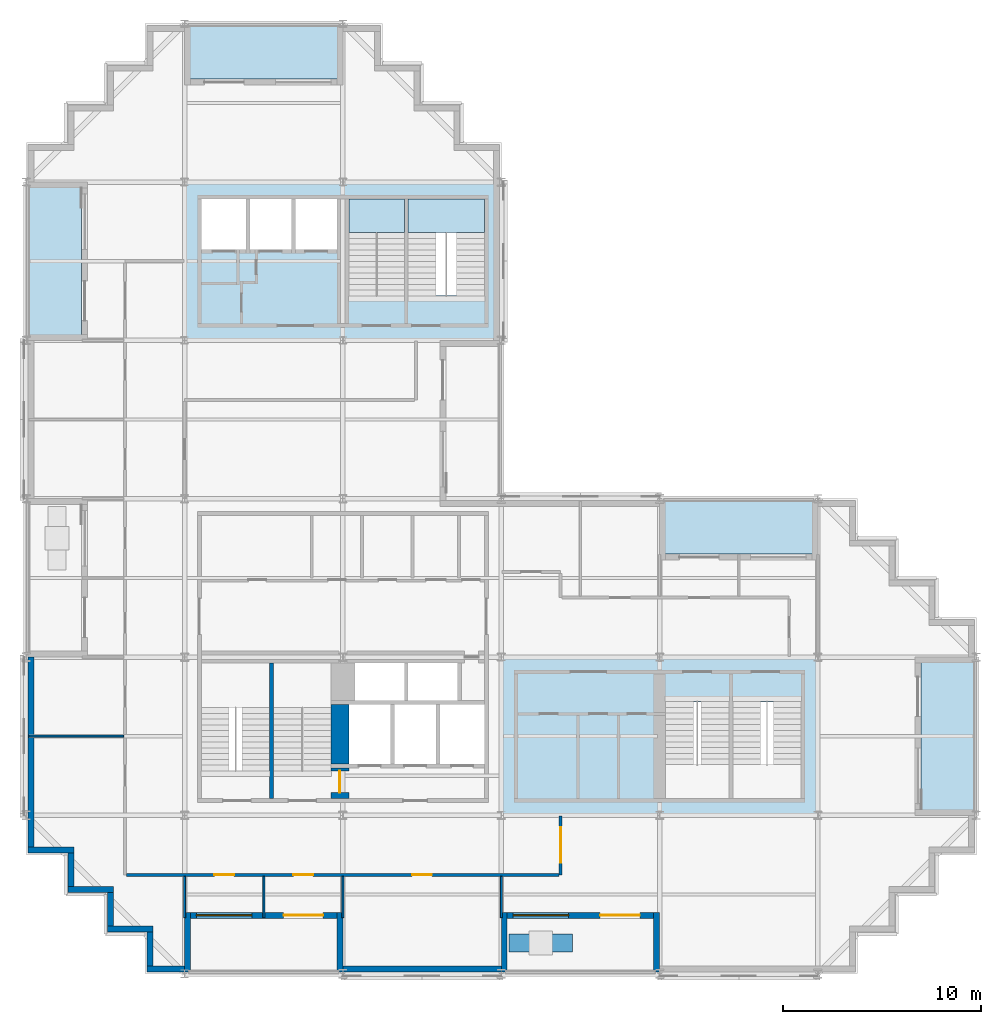
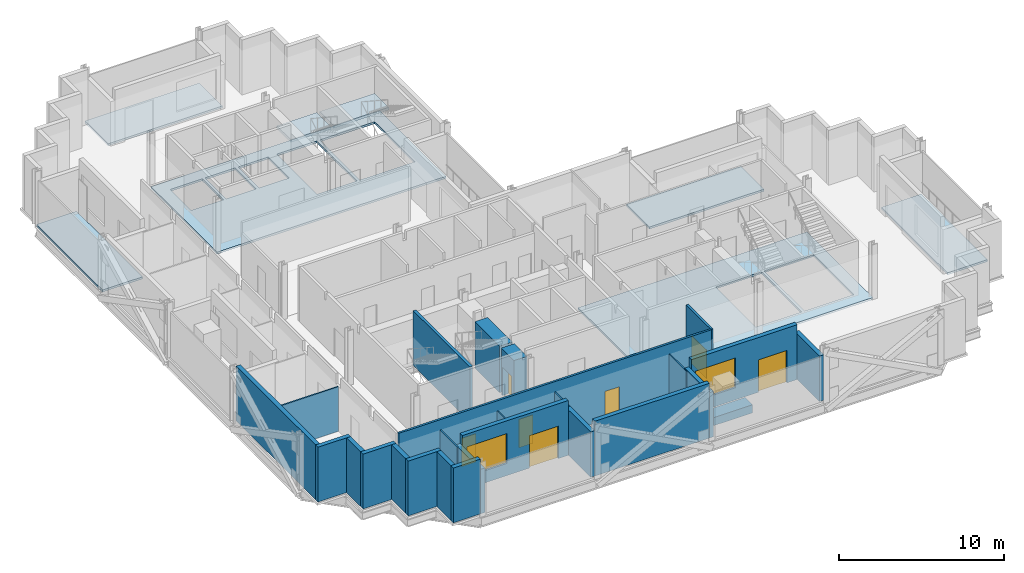
# One storey, part 4 of 12: 26 walls, 8 slabs, 7 doors, 2 windows, 9 openings, 2 elements without a shape of their own.
"""IFC4 building model written with IfcOpenShell, lengths in metres."""

from ifc_helpers import new_model, si_unit, direction, frame, frame_2d, origin, place, context, subcontext, project, spatial, polyline, rectangle, outline, extrude, material, layer, layer_set, type_object, element, fill, aggregate, save


model = new_model("IFC4")

# Units and contexts
model_context = context("Model", 3, precision=1e-05, world=origin(), true_north=direction((0.0, 1.0)))
body_context = subcontext(model_context, "Body", "Model", "MODEL_VIEW")
ifc_project = project(units=[si_unit("LENGTHUNIT", "METRE"), si_unit("AREAUNIT", "SQUARE_METRE"), si_unit("VOLUMEUNIT", "CUBIC_METRE"), si_unit("PLANEANGLEUNIT", "RADIAN"), si_unit("MASSUNIT", "GRAM", prefix="KILO")], contexts=[model_context])

# Site, building, storey
site_placement = place(None, origin())
site = spatial("IfcSite", under=ifc_project, at=site_placement, CompositionType="ELEMENT")
building_placement = place(site_placement, origin())
building = spatial("IfcBuilding", under=site, at=building_placement, Name="Immortelle Media Tower", CompositionType="ELEMENT")
storey_placement = place(building_placement, frame((0.0, 0.0, 136.800048828125)))
storey = spatial("IfcBuildingStorey", under=building, at=storey_placement, Name="L27", CompositionType="ELEMENT", Elevation=136.800048828125)

# Slabs
ifc_material_1 = material(Name="Concrete C50/60 composite deck", Category="concrete")
ifc_layer_1 = layer(ifc_material_1, 0.14990234375)
ifc_layer_set_1 = layer_set([ifc_layer_1], Name="Concrete C50/60 composite deck")
slab_type_1 = type_object("IfcSlabType", Name="Balcony slab 150", PredefinedType="FLOOR", material=ifc_layer_set_1)
slab_1_placement = place(storey_placement, frame((0.0, 0.0, -0.150146484375)))
element("IfcSlab", 1, at=slab_1_placement, inside=storey, type_object=slab_type_1, Name="Balcony slab L27 E0", PredefinedType="FLOOR", context=body_context, shape_type="SweptSolid", body=[
    extrude(outline(polyline([(48.0, 8.0), (48.0, 16.0), (45.199951171875, 16.0), (45.199951171875, 8.0), (48.0, 8.0)])), origin(), (0.0, 0.0, 1.0), 0.150146484375),
])
slab_2_placement = place(storey_placement, frame((0.0, 0.0, -0.150146484375)))
element("IfcSlab", 2, at=slab_2_placement, inside=storey, type_object=slab_type_1, Name="Balcony slab L27 N0", PredefinedType="FLOOR", context=body_context, shape_type="SweptSolid", body=[
    extrude(outline(polyline([(40.0, 21.199951171875), (40.0, 24.0), (32.0, 24.0), (32.0, 21.199951171875), (40.0, 21.199951171875)])), origin(), (0.0, 0.0, 1.0), 0.150146484375),
])
slab_3_placement = place(storey_placement, frame((0.0, 0.0, -0.150146484375)))
element("IfcSlab", 3, at=slab_3_placement, inside=storey, type_object=slab_type_1, Name="Balcony slab L27 N0", PredefinedType="FLOOR", context=body_context, shape_type="SweptSolid", body=[
    extrude(outline(polyline([(16.0, 45.199951171875), (16.0, 48.0), (8.0, 48.0), (8.0, 45.199951171875), (16.0, 45.199951171875)])), origin(), (0.0, 0.0, 1.0), 0.150146484375),
])
slab_4_placement = place(storey_placement, frame((0.0, 0.0, -0.150146484375)))
element("IfcSlab", 4, at=slab_4_placement, inside=storey, type_object=slab_type_1, Name="Balcony slab L27 W0", PredefinedType="FLOOR", context=body_context, shape_type="SweptSolid", body=[
    extrude(outline(polyline([(2.800048828125, 32.0), (2.800048828125, 40.0), (0.0, 40.0), (0.0, 32.0), (2.800048828125, 32.0)])), origin(), (0.0, 0.0, 1.0), 0.150146484375),
])
ifc_material_2 = material(Name="Concrete C50/60", Category="concrete")
ifc_layer_2 = layer(ifc_material_2, 0.14990234375)
ifc_layer_set_2 = layer_set([ifc_layer_2], Name="Concrete C50/60")
slab_type_2 = type_object("IfcSlabType", Name="Core floor slab 150", PredefinedType="FLOOR", material=ifc_layer_set_2)
slab_5_placement = place(storey_placement, frame((0.0, 0.0, -0.150146484375)))
element("IfcSlab", 5, at=slab_5_placement, inside=storey, type_object=slab_type_2, Name="Core floor SE", PredefinedType="FLOOR", context=body_context, shape_type="SweptSolid", body=[
    extrude(outline(polyline([(24.0, 8.0), (40.0, 8.0), (40.0, 16.0), (24.0, 16.0), (24.0, 8.0)]), holes=[polyline([(32.300048828125, 8.85009765625), (35.5, 8.85009765625), (35.5, 13.72998046875), (32.300048828125, 13.72998046875), (32.300048828125, 8.85009765625)]), polyline([(35.699951171875, 8.85009765625), (39.14990234375, 8.85009765625), (39.14990234375, 13.72998046875), (35.699951171875, 13.72998046875), (35.699951171875, 8.85009765625)])]), origin(), (0.0, 0.0, 1.0), 0.150146484375),
])
slab_6_placement = place(storey_placement, frame((0.0, 0.0, -0.150146484375)))
element("IfcSlab", 6, at=slab_6_placement, inside=storey, type_object=slab_type_2, Name="Core floor NW", PredefinedType="FLOOR", context=body_context, shape_type="SweptSolid", body=[
    extrude(outline(polyline([(8.0, 32.0), (24.0, 32.0), (24.0, 40.0), (8.0, 40.0), (8.0, 32.0)]), holes=[polyline([(8.85009765625, 36.60009765625), (11.10009765625, 36.60009765625), (11.10009765625, 39.14990234375), (8.85009765625, 39.14990234375), (8.85009765625, 36.60009765625)]), polyline([(11.300048828125, 36.60009765625), (13.39990234375, 36.60009765625), (13.39990234375, 39.14990234375), (11.300048828125, 39.14990234375), (11.300048828125, 36.60009765625)]), polyline([(13.60009765625, 36.60009765625), (15.699951171875, 36.60009765625), (15.699951171875, 39.14990234375), (13.60009765625, 39.14990234375), (13.60009765625, 36.60009765625)]), polyline([(16.300048828125, 34.27001953125), (19.10009765625, 34.27001953125), (19.10009765625, 39.14990234375), (16.300048828125, 39.14990234375), (16.300048828125, 34.27001953125)]), polyline([(19.300048828125, 34.27001953125), (23.14990234375, 34.27001953125), (23.14990234375, 39.14990234375), (19.300048828125, 39.14990234375), (19.300048828125, 34.27001953125)])]), origin(), (0.0, 0.0, 1.0), 0.150146484375),
])

# Stair, slab
ifc_material_3 = material(Name="Steel ASTM A992 Gr 50", Category="steel")
stair_type = type_object("IfcStairType", Name="Stair with flights", PredefinedType="DOUBLE_RETURN_STAIR", material=ifc_material_3)
stair_1_placement = place(storey_placement, origin())
stair_1 = element("IfcStair", 7, at=stair_1_placement, inside=storey, type_object=stair_type, Name="Exit stair NW1", PredefinedType="DOUBLE_RETURN_STAIR")
ifc_material_4 = material(Name="Steel ASTM A572 Gr 50", Category="steel")
ifc_layer_3 = layer(ifc_material_4, 0.199951171875)
ifc_layer_set_3 = layer_set([ifc_layer_3], Name="Steel ASTM A572 Gr 50")
slab_type_3 = type_object("IfcSlabType", Name="Stair landing 200", PredefinedType="LANDING", material=ifc_layer_set_3)
slab_7_placement = place(storey_placement, frame((0.0, 0.0, 1.89990234375)))
slab_7 = element("IfcSlab", 8, at=slab_7_placement, type_object=slab_type_3, Name="ST NW1 landing 1", PredefinedType="LANDING", context=body_context, shape_type="SweptSolid", body=[
    extrude(outline(polyline([(16.300048828125, 37.43994140625), (19.10009765625, 37.43994140625), (19.10009765625, 39.14990234375), (16.300048828125, 39.14990234375), (16.300048828125, 37.43994140625)])), origin(), (0.0, 0.0, 1.0), 0.199951171875),
])
aggregate(stair_1, [slab_7])

stair_2_placement = place(storey_placement, origin())
stair_2 = element("IfcStair", 9, at=stair_2_placement, inside=storey, type_object=stair_type, Name="Exit stair NW2", PredefinedType="DOUBLE_RETURN_STAIR")
slab_8_placement = place(storey_placement, frame((0.0, 0.0, 1.89990234375)))
slab_8 = element("IfcSlab", 10, at=slab_8_placement, type_object=slab_type_3, Name="ST NW2 landing 1", PredefinedType="LANDING", context=body_context, shape_type="SweptSolid", body=[
    extrude(outline(polyline([(19.300048828125, 37.43994140625), (23.14990234375, 37.43994140625), (23.14990234375, 39.14990234375), (19.300048828125, 39.14990234375), (19.300048828125, 37.43994140625)])), origin(), (0.0, 0.0, 1.0), 0.199951171875),
])
aggregate(stair_2, [slab_8])

# Wall, openings, doors
ifc_material_5 = material(Name="Fire-rated gypsum board", Category="gypsum")
ifc_layer_4 = layer(ifc_material_5, 0.012451171875)
ifc_material_6 = material(Name="Steel ASTM A653 SS Gr 50 stud frame with mineral wool", Category="steel")
ifc_layer_5 = layer(ifc_material_6, 0.125)
ifc_layer_6 = layer(ifc_material_5, 0.012451171875)
ifc_layer_set_4 = layer_set([ifc_layer_4, ifc_layer_5, ifc_layer_6], Name="Steel ASTM A653 SS Gr 50 stud frame with mineral wool")
wall_type_1 = type_object("IfcWallType", Name="Corridor wall 150", PredefinedType="PARTITIONING", material=ifc_layer_set_4)
wall_1_placement = place(storey_placement, frame((5.074951171875, 5.0, 0.0), z_axis=(0.0, 0.0, 1.0), x_axis=(1.0, 0.0, 0.0)))
wall_1 = element("IfcWall", 11, at=wall_1_placement, inside=storey, type_object=wall_type_1, Name="Partition L27-005", PredefinedType="PARTITIONING", context=body_context, shape_type="SweptSolid", body=[
    extrude(rectangle(XDim=21.85009765625, YDim=0.14990234375, at=frame_2d((10.925048828125, 0.0))), origin(), (0.0, 0.0, 1.0), 4.050048828125),
])
opening_1_placement = place(wall_1_placement, frame((15.425048828125, 0.0, 0.0), z_axis=(0.0, 0.0, 1.0), x_axis=(-1.0, 0.0, 0.0)))
opening_1 = element("IfcOpeningElement", 12, at=opening_1_placement, cuts=wall_1, Name="Opening C2-F001", PredefinedType="OPENING", context=body_context, shape_type="SweptSolid", body=[
    extrude(rectangle(XDim=1.0, YDim=2.10009765625, at=frame_2d((0.5, 1.050048828125))), frame((0.0, 0.0849609375, 0.0), z_axis=(0.0, -1.0, 0.0), x_axis=(1.0, 0.0, 0.0)), (0.0, 0.0, 1.0), 0.169921875),
])
opening_2_placement = place(wall_1_placement, frame((5.425048828125, 0.0, 0.0), z_axis=(0.0, 0.0, 1.0), x_axis=(-1.0, 0.0, 0.0)))
opening_2 = element("IfcOpeningElement", 13, at=opening_2_placement, cuts=wall_1, Name="Opening C2-F002", PredefinedType="OPENING", context=body_context, shape_type="SweptSolid", body=[
    extrude(rectangle(XDim=1.0, YDim=2.10009765625, at=frame_2d((0.5, 1.050048828125))), frame((0.0, 0.0849609375, 0.0), z_axis=(0.0, -1.0, 0.0), x_axis=(1.0, 0.0, 0.0)), (0.0, 0.0, 1.0), 0.169921875),
])
opening_3_placement = place(wall_1_placement, frame((9.425048828125, 0.0, 0.0), z_axis=(0.0, 0.0, 1.0), x_axis=(-1.0, 0.0, 0.0)))
opening_3 = element("IfcOpeningElement", 14, at=opening_3_placement, cuts=wall_1, Name="Opening C2-F003", PredefinedType="OPENING", context=body_context, shape_type="SweptSolid", body=[
    extrude(rectangle(XDim=1.0, YDim=2.10009765625, at=frame_2d((0.5, 1.050048828125))), frame((0.0, 0.0849609375, 0.0), z_axis=(0.0, -1.0, 0.0), x_axis=(1.0, 0.0, 0.0)), (0.0, 0.0, 1.0), 0.169921875),
])
ifc_material_7 = material(Name="Timber veneered door leaf, galvanised steel frame ASTM A653", Category="steel")
door_type_1 = type_object("IfcDoorType", Name="Room door 1000 x 2100", OperationType="NOTDEFINED", PredefinedType="DOOR", material=ifc_material_7)
door_1_placement = place(opening_1_placement, origin())
door_1 = element("IfcDoor", 15, at=door_1_placement, inside=storey, type_object=door_type_1, Name="Door C2-F001", OperationType="SINGLE_SWING_LEFT", OverallHeight=2.10009765625, OverallWidth=1.0, PredefinedType="DOOR", context=body_context, shape_type="SweptSolid", body=[
    extrude(rectangle(XDim=1.0, YDim=2.10009765625, at=frame_2d((0.5, 1.050048828125))), frame((0.0, 0.02490234375, 0.0), z_axis=(0.0, -1.0, 0.0), x_axis=(1.0, 0.0, 0.0)), (0.0, 0.0, 1.0), 0.050048828125),
])
fill(opening_1, door_1)
door_2_placement = place(opening_2_placement, origin())
door_2 = element("IfcDoor", 16, at=door_2_placement, inside=storey, type_object=door_type_1, Name="Door C2-F002", OperationType="SINGLE_SWING_RIGHT", OverallHeight=2.10009765625, OverallWidth=1.0, PredefinedType="DOOR", context=body_context, shape_type="SweptSolid", body=[
    extrude(rectangle(XDim=1.0, YDim=2.10009765625, at=frame_2d((0.5, 1.050048828125))), frame((0.0, 0.02490234375, 0.0), z_axis=(0.0, -1.0, 0.0), x_axis=(1.0, 0.0, 0.0)), (0.0, 0.0, 1.0), 0.050048828125),
])
fill(opening_2, door_2)
door_3_placement = place(opening_3_placement, origin())
door_3 = element("IfcDoor", 17, at=door_3_placement, inside=storey, type_object=door_type_1, Name="Door C2-F003", OperationType="SINGLE_SWING_RIGHT", OverallHeight=2.10009765625, OverallWidth=1.0, PredefinedType="DOOR", context=body_context, shape_type="SweptSolid", body=[
    extrude(rectangle(XDim=1.0, YDim=2.10009765625, at=frame_2d((0.5, 1.050048828125))), frame((0.0, 0.02490234375, 0.0), z_axis=(0.0, -1.0, 0.0), x_axis=(1.0, 0.0, 0.0)), (0.0, 0.0, 1.0), 0.050048828125),
])
fill(opening_3, door_3)

# Wall, opening, door
wall_2_placement = place(storey_placement, frame((27.0, 5.0, 0.0), z_axis=(0.0, 0.0, 1.0), x_axis=(0.0, 1.0, 0.0)))
wall_2 = element("IfcWall", 18, at=wall_2_placement, inside=storey, type_object=wall_type_1, Name="Partition L27-007", PredefinedType="PARTITIONING", context=body_context, shape_type="SweptSolid", body=[
    extrude(rectangle(XDim=2.969970703125, YDim=0.14990234375, at=frame_2d((1.48486328125, 0.0))), origin(), (0.0, 0.0, 1.0), 4.050048828125),
])
opening_4_placement = place(wall_2_placement, frame((0.60009765625, 0.0, 0.0)))
opening_4 = element("IfcOpeningElement", 19, at=opening_4_placement, cuts=wall_2, Name="Opening C2-F004", PredefinedType="OPENING", context=body_context, shape_type="SweptSolid", body=[
    extrude(rectangle(XDim=1.800048828125, YDim=2.10009765625, at=frame_2d((0.89990234375, 1.050048828125))), frame((0.0, 0.0849609375, 0.0), z_axis=(0.0, -1.0, 0.0), x_axis=(1.0, 0.0, 0.0)), (0.0, 0.0, 1.0), 0.169921875),
])
door_type_2 = type_object("IfcDoorType", Name="Room door 1800 x 2100", OperationType="DOUBLE_DOOR_SINGLE_SWING", PredefinedType="DOOR", material=ifc_material_7)
door_4_placement = place(opening_4_placement, origin())
door_4 = element("IfcDoor", 20, at=door_4_placement, inside=storey, type_object=door_type_2, Name="Door C2-F004", OperationType="DOUBLE_DOOR_SINGLE_SWING", OverallHeight=2.10009765625, OverallWidth=1.800048828125, PredefinedType="DOOR", context=body_context, shape_type="SweptSolid", body=[
    extrude(rectangle(XDim=1.800048828125, YDim=2.10009765625, at=frame_2d((0.89990234375, 1.050048828125))), frame((0.0, 0.02490234375, 0.0), z_axis=(0.0, -1.0, 0.0), x_axis=(1.0, 0.0, 0.0)), (0.0, 0.0, 1.0), 0.050048828125),
])
fill(opening_4, door_4)

# Walls
ifc_material_8 = material(Name="Pale aluminium cladding panel", Category="aluminium")
ifc_layer_7 = layer(ifc_material_8, 0.030029296875)
ifc_layer_8 = layer(ifc_material_6, 0.257568359375)
ifc_material_9 = material(Name="Moisture-resistant gypsum board", Category="gypsum")
ifc_layer_9 = layer(ifc_material_9, 0.012451171875)
ifc_layer_set_5 = layer_set([ifc_layer_7, ifc_layer_8, ifc_layer_9], Name="Steel ASTM A653 SS Gr 50 stud frame with mineral wool")
wall_type_2 = type_object("IfcWallType", Name="Facade wall 300", PredefinedType="SOLIDWALL", material=ifc_layer_set_5)
wall_3_placement = place(storey_placement, frame((0.10009765625, 6.25, 0.0), z_axis=(0.0, 0.0, 1.0), x_axis=(1.0, 0.0, 0.0)))
element("IfcWall", 21, at=wall_3_placement, inside=storey, type_object=wall_type_2, Name="Facade wall L27 S0", PredefinedType="SOLIDWALL", context=body_context, shape_type="SweptSolid", body=[
    extrude(rectangle(XDim=2.2998046875, YDim=0.300048828125, at=frame_2d((1.14990234375, 0.0))), origin(), (0.0, 0.0, 1.0), 4.050048828125),
])
wall_4_placement = place(storey_placement, frame((2.25, 6.10009765625, 0.0), z_axis=(0.0, 0.0, 1.0), x_axis=(0.0, -1.0, 0.0)))
element("IfcWall", 22, at=wall_4_placement, inside=storey, type_object=wall_type_2, Name="Facade wall L27 W1", PredefinedType="SOLIDWALL", context=body_context, shape_type="SweptSolid", body=[
    extrude(rectangle(XDim=1.7001953125, YDim=0.300048828125, at=frame_2d((0.85009765625, 0.0))), origin(), (0.0, 0.0, 1.0), 4.050048828125),
])
wall_5_placement = place(storey_placement, frame((2.10009765625, 4.25, 0.0), z_axis=(0.0, 0.0, 1.0), x_axis=(1.0, 0.0, 0.0)))
element("IfcWall", 23, at=wall_5_placement, inside=storey, type_object=wall_type_2, Name="Facade wall L27 S2", PredefinedType="SOLIDWALL", context=body_context, shape_type="SweptSolid", body=[
    extrude(rectangle(XDim=2.2998046875, YDim=0.300048828125, at=frame_2d((1.14990234375, 0.0))), origin(), (0.0, 0.0, 1.0), 4.050048828125),
])
wall_6_placement = place(storey_placement, frame((4.25, 4.10009765625, 0.0), z_axis=(0.0, 0.0, 1.0), x_axis=(0.0, -1.0, 0.0)))
element("IfcWall", 24, at=wall_6_placement, inside=storey, type_object=wall_type_2, Name="Facade wall L27 W3", PredefinedType="SOLIDWALL", context=body_context, shape_type="SweptSolid", body=[
    extrude(rectangle(XDim=1.7001953125, YDim=0.300048828125, at=frame_2d((0.85009765625, 0.0))), origin(), (0.0, 0.0, 1.0), 4.050048828125),
])
wall_7_placement = place(storey_placement, frame((4.10009765625, 2.25, 0.0), z_axis=(0.0, 0.0, 1.0), x_axis=(1.0, 0.0, 0.0)))
element("IfcWall", 25, at=wall_7_placement, inside=storey, type_object=wall_type_2, Name="Facade wall L27 S4", PredefinedType="SOLIDWALL", context=body_context, shape_type="SweptSolid", body=[
    extrude(rectangle(XDim=2.2998046875, YDim=0.300048828125, at=frame_2d((1.14990234375, 0.0))), origin(), (0.0, 0.0, 1.0), 4.050048828125),
])
wall_8_placement = place(storey_placement, frame((6.25, 2.10009765625, 0.0), z_axis=(0.0, 0.0, 1.0), x_axis=(0.0, -1.0, 0.0)))
element("IfcWall", 26, at=wall_8_placement, inside=storey, type_object=wall_type_2, Name="Facade wall L27 W5", PredefinedType="SOLIDWALL", context=body_context, shape_type="SweptSolid", body=[
    extrude(rectangle(XDim=1.7001953125, YDim=0.300048828125, at=frame_2d((0.85009765625, 0.0))), origin(), (0.0, 0.0, 1.0), 4.050048828125),
])
wall_9_placement = place(storey_placement, frame((6.10009765625, 0.25, 0.0), z_axis=(0.0, 0.0, 1.0), x_axis=(1.0, 0.0, 0.0)))
element("IfcWall", 27, at=wall_9_placement, inside=storey, type_object=wall_type_2, Name="Facade wall L27 S6", PredefinedType="SOLIDWALL", context=body_context, shape_type="SweptSolid", body=[
    extrude(rectangle(XDim=1.89990234375, YDim=0.300048828125, at=frame_2d((0.949951171875, 0.0))), origin(), (0.0, 0.0, 1.0), 4.050048828125),
])

# Wall, openings, door, window
wall_10_placement = place(storey_placement, frame((8.300048828125, 2.949951171875, 0.0), z_axis=(0.0, 0.0, 1.0), x_axis=(1.0, 0.0, 0.0)))
wall_10 = element("IfcWall", 28, at=wall_10_placement, inside=storey, type_object=wall_type_2, Name="Loggia wall L27 S6", PredefinedType="SOLIDWALL", context=body_context, shape_type="SweptSolid", body=[
    extrude(rectangle(XDim=7.39990234375, YDim=0.300048828125, at=frame_2d((3.699951171875, 0.0))), origin(), (0.0, 0.0, 1.0), 4.050048828125),
])
opening_5_placement = place(wall_10_placement, frame((0.300048828125, 0.0, 0.89990234375)))
opening_5 = element("IfcOpeningElement", 29, at=opening_5_placement, cuts=wall_10, Name="Opening W1", PredefinedType="OPENING", context=body_context, shape_type="SweptSolid", body=[
    extrude(rectangle(XDim=2.800048828125, YDim=2.199951171875, at=frame_2d((1.39990234375, 1.10009765625))), frame((0.0, 0.159912109375, 0.0), z_axis=(0.0, -1.0, 0.0), x_axis=(1.0, 0.0, 0.0)), (0.0, 0.0, 1.0), 0.320068359375),
])
opening_6_placement = place(wall_10_placement, frame((4.699951171875, 0.0, 0.0)))
opening_6 = element("IfcOpeningElement", 30, at=opening_6_placement, cuts=wall_10, Name="Opening C2-E001", PredefinedType="OPENING", context=body_context, shape_type="SweptSolid", body=[
    extrude(rectangle(XDim=2.0, YDim=2.39990234375, at=frame_2d((1.0, 1.199951171875))), frame((0.0, 0.159912109375, 0.0), z_axis=(0.0, -1.0, 0.0), x_axis=(1.0, 0.0, 0.0)), (0.0, 0.0, 1.0), 0.320068359375),
])
ifc_material_10 = material(Name="Aluminium frame, glazed leaves", Category="aluminium")
door_type_3 = type_object("IfcDoorType", Name="Loggia door 2000 x 2400", OperationType="DOUBLE_DOOR_SINGLE_SWING", PredefinedType="DOOR", material=ifc_material_10)
door_5_placement = place(opening_6_placement, origin())
door_5 = element("IfcDoor", 31, at=door_5_placement, inside=storey, type_object=door_type_3, Name="Door C2-E001", OperationType="DOUBLE_DOOR_SINGLE_SWING", OverallHeight=2.39990234375, OverallWidth=2.0, PredefinedType="DOOR", context=body_context, shape_type="SweptSolid", body=[
    extrude(rectangle(XDim=2.0, YDim=2.39990234375, at=frame_2d((1.0, 1.199951171875))), frame((0.0, 0.02490234375, 0.0), z_axis=(0.0, -1.0, 0.0), x_axis=(1.0, 0.0, 0.0)), (0.0, 0.0, 1.0), 0.050048828125),
])
fill(opening_6, door_5)
ifc_material_11 = material(Name="Aluminium frame", Category="aluminium")
window_type = type_object("IfcWindowType", Name="Window 2800 x 2200", PartitioningType="SINGLE_PANEL", PredefinedType="WINDOW", material=ifc_material_11)
window_1_placement = place(opening_5_placement, origin())
window_1 = element("IfcWindow", 32, at=window_1_placement, inside=storey, type_object=window_type, Name="Window L27 L27-R6-B0", OverallHeight=2.199951171875, OverallWidth=2.800048828125, PartitioningType="SINGLE_PANEL", PredefinedType="WINDOW", context=body_context, shape_type="SweptSolid", body=[
    extrude(rectangle(XDim=2.800048828125, YDim=2.199951171875, at=frame_2d((1.39990234375, 1.10009765625))), frame((0.0, 0.030029296875, 0.0), z_axis=(0.0, -1.0, 0.0), x_axis=(1.0, 0.0, 0.0)), (0.0, 0.0, 1.0), 0.06005859375),
])
fill(opening_5, window_1)

# Walls
wall_11_placement = place(storey_placement, frame((8.14990234375, 0.10009765625, 0.0), z_axis=(0.0, 0.0, 1.0), x_axis=(0.0, 1.0, 0.0)))
element("IfcWall", 33, at=wall_11_placement, inside=storey, type_object=wall_type_2, Name="Loggia cheek wall L27 S", PredefinedType="SOLIDWALL", context=body_context, shape_type="SweptSolid", body=[
    extrude(rectangle(XDim=3.0, YDim=0.300048828125, at=frame_2d((1.5, 0.0))), origin(), (0.0, 0.0, 1.0), 3.286865234375),
])
wall_12_placement = place(storey_placement, frame((15.85009765625, 0.10009765625, 0.0), z_axis=(0.0, 0.0, 1.0), x_axis=(0.0, 1.0, 0.0)))
element("IfcWall", 34, at=wall_12_placement, inside=storey, type_object=wall_type_2, Name="Loggia cheek wall L27 S", PredefinedType="SOLIDWALL", context=body_context, shape_type="SweptSolid", body=[
    extrude(rectangle(XDim=3.0, YDim=0.300048828125, at=frame_2d((1.5, 0.0))), origin(), (0.0, 0.0, 1.0), 3.35595703125),
])
wall_13_placement = place(storey_placement, frame((16.0, 0.25, 0.0), z_axis=(0.0, 0.0, 1.0), x_axis=(1.0, 0.0, 0.0)))
element("IfcWall", 35, at=wall_13_placement, inside=storey, type_object=wall_type_2, Name="Facade wall L27 S6", PredefinedType="SOLIDWALL", context=body_context, shape_type="SweptSolid", body=[
    extrude(rectangle(XDim=8.0, YDim=0.300048828125, at=frame_2d((4.0, 0.0))), origin(), (0.0, 0.0, 1.0), 4.050048828125),
])

# Wall, openings, door, window
wall_14_placement = place(storey_placement, frame((24.300048828125, 2.949951171875, 0.0), z_axis=(0.0, 0.0, 1.0), x_axis=(1.0, 0.0, 0.0)))
wall_14 = element("IfcWall", 36, at=wall_14_placement, inside=storey, type_object=wall_type_2, Name="Loggia wall L27 S6", PredefinedType="SOLIDWALL", context=body_context, shape_type="SweptSolid", body=[
    extrude(rectangle(XDim=7.39990234375, YDim=0.300048828125, at=frame_2d((3.699951171875, 0.0))), origin(), (0.0, 0.0, 1.0), 4.050048828125),
])
opening_7_placement = place(wall_14_placement, frame((0.300048828125, 0.0, 0.89990234375)))
opening_7 = element("IfcOpeningElement", 37, at=opening_7_placement, cuts=wall_14, Name="Opening W1", PredefinedType="OPENING", context=body_context, shape_type="SweptSolid", body=[
    extrude(rectangle(XDim=2.800048828125, YDim=2.199951171875, at=frame_2d((1.39990234375, 1.10009765625))), frame((0.0, 0.159912109375, 0.0), z_axis=(0.0, -1.0, 0.0), x_axis=(1.0, 0.0, 0.0)), (0.0, 0.0, 1.0), 0.320068359375),
])
opening_8_placement = place(wall_14_placement, frame((4.699951171875, 0.0, 0.0)))
opening_8 = element("IfcOpeningElement", 38, at=opening_8_placement, cuts=wall_14, Name="Opening C2-E002", PredefinedType="OPENING", context=body_context, shape_type="SweptSolid", body=[
    extrude(rectangle(XDim=2.0, YDim=2.39990234375, at=frame_2d((1.0, 1.199951171875))), frame((0.0, 0.159912109375, 0.0), z_axis=(0.0, -1.0, 0.0), x_axis=(1.0, 0.0, 0.0)), (0.0, 0.0, 1.0), 0.320068359375),
])
door_6_placement = place(opening_8_placement, origin())
door_6 = element("IfcDoor", 39, at=door_6_placement, inside=storey, type_object=door_type_3, Name="Door C2-E002", OperationType="DOUBLE_DOOR_SINGLE_SWING", OverallHeight=2.39990234375, OverallWidth=2.0, PredefinedType="DOOR", context=body_context, shape_type="SweptSolid", body=[
    extrude(rectangle(XDim=2.0, YDim=2.39990234375, at=frame_2d((1.0, 1.199951171875))), frame((0.0, 0.02490234375, 0.0), z_axis=(0.0, -1.0, 0.0), x_axis=(1.0, 0.0, 0.0)), (0.0, 0.0, 1.0), 0.050048828125),
])
fill(opening_8, door_6)
window_2_placement = place(opening_7_placement, origin())
window_2 = element("IfcWindow", 40, at=window_2_placement, inside=storey, type_object=window_type, Name="Window L27 L27-R6-B2", OverallHeight=2.199951171875, OverallWidth=2.800048828125, PartitioningType="SINGLE_PANEL", PredefinedType="WINDOW", context=body_context, shape_type="SweptSolid", body=[
    extrude(rectangle(XDim=2.800048828125, YDim=2.199951171875, at=frame_2d((1.39990234375, 1.10009765625))), frame((0.0, 0.030029296875, 0.0), z_axis=(0.0, -1.0, 0.0), x_axis=(1.0, 0.0, 0.0)), (0.0, 0.0, 1.0), 0.06005859375),
])
fill(opening_7, window_2)

# Walls
for number, where, z_axis, x_axis, name in (
    (41, (24.14990234375, 0.10009765625, 0.0), (0.0, 0.0, 1.0), (0.0, 1.0, 0.0), "Loggia cheek wall L27 S"),
    (42, (31.85009765625, 0.10009765625, 0.0), (0.0, 0.0, 1.0), (0.0, 1.0, 0.0), "Loggia cheek wall L27 S"),
):
    element("IfcWall", number, at=place(storey_placement, frame(where, z_axis=z_axis, x_axis=x_axis)), inside=storey, type_object=wall_type_2, Name=name, PredefinedType="SOLIDWALL", context=body_context, shape_type="SweptSolid", body=[
        extrude(rectangle(XDim=3.0, YDim=0.300048828125, at=frame_2d((1.5, 0.0))), origin(), (0.0, 0.0, 1.0), 3.35595703125),
    ])
wall_15_placement = place(storey_placement, frame((0.25, 16.0, 0.0), z_axis=(0.0, 0.0, 1.0), x_axis=(0.0, -1.0, 0.0)))
element("IfcWall", 43, at=wall_15_placement, inside=storey, type_object=wall_type_2, Name="Facade wall L27 W35", PredefinedType="SOLIDWALL", context=body_context, shape_type="SweptSolid", body=[
    extrude(rectangle(XDim=9.60009765625, YDim=0.300048828125, at=frame_2d((4.800048828125, 0.0))), origin(), (0.0, 0.0, 1.0), 4.050048828125),
])
ifc_material_12 = material(Name="Gypsum board", Category="gypsum")
ifc_layer_10 = layer(ifc_material_12, 0.012451171875)
ifc_layer_11 = layer(ifc_material_6, 0.074951171875)
ifc_layer_12 = layer(ifc_material_12, 0.012451171875)
ifc_layer_set_6 = layer_set([ifc_layer_10, ifc_layer_11, ifc_layer_12], Name="Steel ASTM A653 SS Gr 50 stud frame with mineral wool")
wall_type_3 = type_object("IfcWallType", Name="Partition 100", PredefinedType="PARTITIONING", material=ifc_layer_set_6)
for number, where, z_axis, x_axis, name in (
    (44, (8.0, 2.830078125, 0.0), (0.0, 0.0, 1.0), (0.0, 1.0, 0.0), "Partition L27-001"),
    (45, (12.0, 2.830078125, 0.0), (0.0, 0.0, 1.0), (0.0, 1.0, 0.0), "Partition L27-002"),
    (46, (16.0, 2.830078125, 0.0), (0.0, 0.0, 1.0), (0.0, 1.0, 0.0), "Partition L27-003"),
    (47, (24.0, 2.830078125, 0.0), (0.0, 0.0, 1.0), (0.0, 1.0, 0.0), "Partition L27-004"),
):
    element("IfcWall", number, at=place(storey_placement, frame(where, z_axis=z_axis, x_axis=x_axis)), inside=storey, type_object=wall_type_3, Name=name, PredefinedType="PARTITIONING", context=body_context, shape_type="SweptSolid", body=[
        extrude(rectangle(XDim=2.094970703125, YDim=0.10009765625, at=frame_2d((1.04736328125, 0.0))), origin(), (0.0, 0.0, 1.0), 3.287841796875),
    ])
wall_16_placement = place(storey_placement, frame((0.1298828125, 12.0, 0.0), z_axis=(0.0, 0.0, 1.0), x_axis=(1.0, 0.0, 0.0)))
element("IfcWall", 48, at=wall_16_placement, inside=storey, type_object=wall_type_3, Name="Partition L27-008", PredefinedType="PARTITIONING", context=body_context, shape_type="SweptSolid", body=[
    extrude(rectangle(XDim=4.795166015625, YDim=0.10009765625, at=frame_2d((2.3974609375, 0.0))), origin(), (0.0, 0.0, 1.0), 3.287841796875),
])
ifc_layer_13 = layer(ifc_material_8, 0.0029296875)
ifc_material_13 = material(Name="Steel ASTM A572 Gr 50 planter shell", Category="steel")
ifc_layer_14 = layer(ifc_material_13, 0.011962890625)
ifc_material_14 = material(Name="Planting substrate", Category="soil")
ifc_layer_15 = layer(ifc_material_14, 0.873046875)
ifc_layer_16 = layer(ifc_material_13, 0.011962890625)
ifc_layer_set_7 = layer_set([ifc_layer_13, ifc_layer_14, ifc_layer_15, ifc_layer_16], Name="Steel ASTM A572 Gr 50 planter shell")
wall_type_4 = type_object("IfcWallType", Name="Planter wall 900", PredefinedType="SOLIDWALL", material=ifc_layer_set_7)
wall_17_placement = place(storey_placement, frame((24.39990234375, 1.550048828125, 0.0), z_axis=(0.0, 0.0, 1.0), x_axis=(1.0, 0.0, 0.0)))
element("IfcWall", 49, at=wall_17_placement, inside=storey, type_object=wall_type_4, Name="Planter L27 S2", PredefinedType="SOLIDWALL", context=body_context, shape_type="SweptSolid", body=[
    extrude(rectangle(XDim=3.2001953125, YDim=0.89990234375, at=frame_2d((1.60009765625, 0.0))), origin(), (0.0, 0.0, 1.0), 0.599853515625),
])
ifc_material_15 = material(Name="Concrete C60", Category="concrete")
ifc_layer_17 = layer(ifc_material_15, 0.199951171875)
ifc_layer_set_8 = layer_set([ifc_layer_17], Name="Concrete C60")
wall_type_5 = type_object("IfcWallType", Name="Stair shaft wall 200", PredefinedType="PARTITIONING", material=ifc_layer_set_8)
wall_18_placement = place(storey_placement, frame((12.39990234375, 8.85009765625, 0.0), z_axis=(0.0, 0.0, 1.0), x_axis=(0.0, 1.0, 0.0)))
element("IfcWall", 50, at=wall_18_placement, inside=storey, type_object=wall_type_5, Name="Stair shaft wall SW", PredefinedType="PARTITIONING", context=body_context, shape_type="SweptSolid", body=[
    extrude(rectangle(XDim=6.849853515625, YDim=0.199951171875, at=frame_2d((3.4248046875, 0.0))), origin(), (0.0, 0.0, 1.0), 4.050048828125),
])

# Wall, opening, door
ifc_layer_18 = layer(ifc_material_15, 0.89990234375)
ifc_layer_set_9 = layer_set([ifc_layer_18], Name="Concrete C60")
wall_type_6 = type_object("IfcWallType", Name="Stair shaft wall 900", PredefinedType="PARTITIONING", material=ifc_layer_set_9)
wall_19_placement = place(storey_placement, frame((15.85009765625, 8.85009765625, 0.0), z_axis=(0.0, 0.0, 1.0), x_axis=(0.0, 1.0, 0.0)))
wall_19 = element("IfcWall", 51, at=wall_19_placement, inside=storey, type_object=wall_type_6, Name="Stair shaft wall SW", PredefinedType="PARTITIONING", context=body_context, shape_type="SweptSolid", body=[
    extrude(rectangle(XDim=1.5498046875, YDim=0.89990234375, at=frame_2d((0.77490234375, 0.0))), origin(), (0.0, 0.0, 1.0), 3.431884765625),
])
opening_9_placement = place(wall_19_placement, frame((0.300048828125, 0.0, 0.0)))
opening_9 = element("IfcOpeningElement", 52, at=opening_9_placement, cuts=wall_19, Name="Opening C2-K006", PredefinedType="OPENING", context=body_context, shape_type="SweptSolid", body=[
    extrude(rectangle(XDim=1.10009765625, YDim=2.10009765625, at=frame_2d((0.550048828125, 1.050048828125))), frame((0.0, 0.4599609375, 0.0), z_axis=(0.0, -1.0, 0.0), x_axis=(1.0, 0.0, 0.0)), (0.0, 0.0, 1.0), 0.919921875),
])
ifc_material_16 = material(Name="Galvanised steel door leaf and frame ASTM A653", Category="steel")
door_type_4 = type_object("IfcDoorType", Name="Stair lobby door 1100 x 2100", OperationType="NOTDEFINED", PredefinedType="NOTDEFINED", material=ifc_material_16)
door_7_placement = place(opening_9_placement, origin())
door_7 = element("IfcDoor", 53, at=door_7_placement, inside=storey, type_object=door_type_4, Name="Stair lobby C2-K006", OperationType="SINGLE_SWING_LEFT", OverallHeight=2.10009765625, OverallWidth=1.10009765625, PredefinedType="NOTDEFINED", context=body_context, shape_type="SweptSolid", body=[
    extrude(rectangle(XDim=1.10009765625, YDim=2.10009765625, at=frame_2d((0.550048828125, 1.050048828125))), frame((0.0, 0.02490234375, 0.0), z_axis=(0.0, -1.0, 0.0), x_axis=(1.0, 0.0, 0.0)), (0.0, 0.0, 1.0), 0.050048828125),
])
fill(opening_9, door_7)

# Wall
wall_20_placement = place(storey_placement, frame((15.85009765625, 10.60009765625, 0.0), z_axis=(0.0, 0.0, 1.0), x_axis=(0.0, 1.0, 0.0)))
element("IfcWall", 54, at=wall_20_placement, inside=storey, type_object=wall_type_6, Name="Stair shaft wall SW", PredefinedType="PARTITIONING", context=body_context, shape_type="SweptSolid", body=[
    extrude(rectangle(XDim=3.0, YDim=0.89990234375, at=frame_2d((1.5, 0.0))), origin(), (0.0, 0.0, 1.0), 3.431884765625),
])

save(model, "model.ifc")
